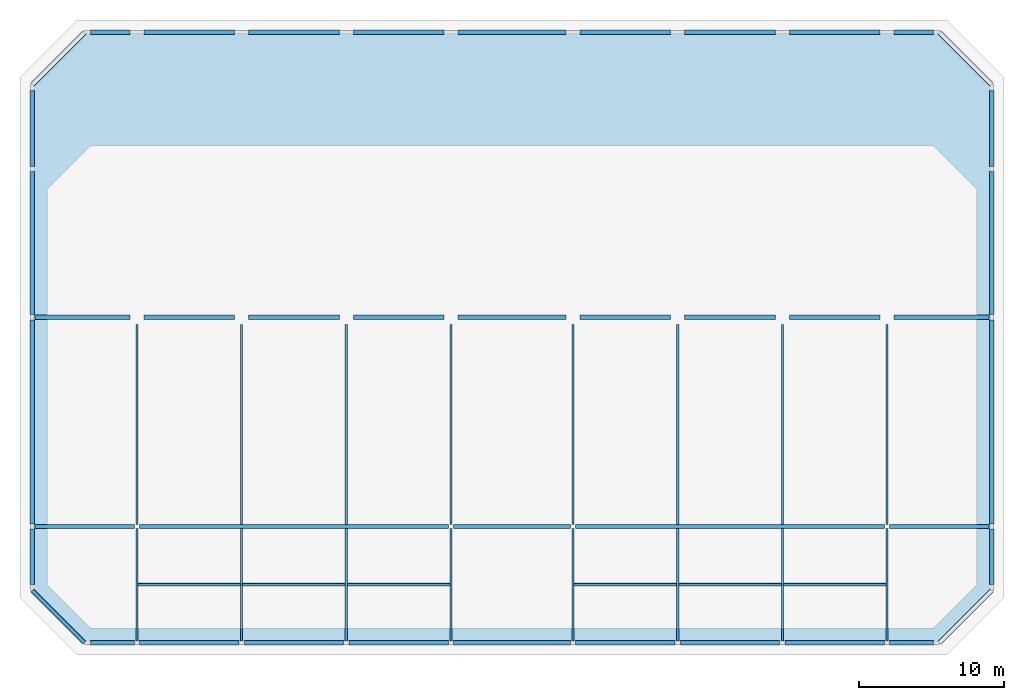
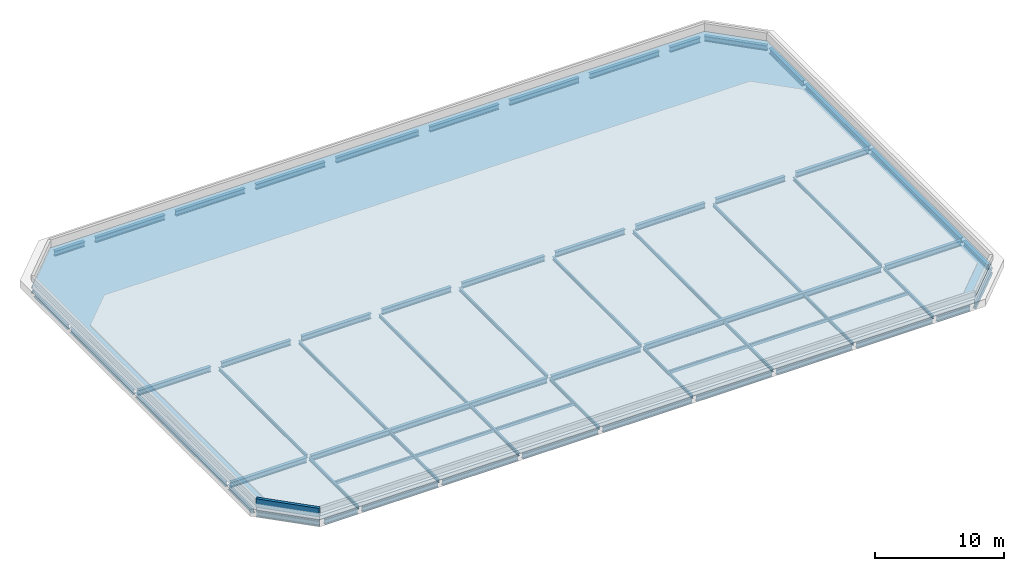
# One storey, part 1 of 3: 44 beams, 22 members, 1 slab, 1 wall.
"""IFC4 building model written with IfcOpenShell, lengths in metres."""

import ifcopenshell
import ifcopenshell.guid

model = None  # the IFC model being written
_history = None  # IfcOwnerHistory: only IFC2X3 demands one
_inside = {}  # id of a spatial element -> (the spatial element, [elements in it])
_under = {}  # id of a project, library or spatial element -> (it, [spatial elements below it])
_declared = {}  # id of a project -> (the project, [libraries it declares])
_typed = {}  # id of a type object -> (the type object, [elements of that type])
_made_of = {}  # id of a material, layer set ... -> (it, [elements and type objects made of it])


def new_model(schema):
    """Start an empty IFC model of exactly this schema.

    Asked for "IFC4X3", IfcOpenShell would pick the latest addendum, in which some entities
    have other attributes; the version numbers below select the first issue.
    IFC2X3 requires an IfcOwnerHistory on every rooted entity: one is made here for all.
    """
    global model, _history
    if schema == "IFC4X3":
        model = ifcopenshell.file(schema_version=(4, 3, 0, 0))
    else:
        model = ifcopenshell.file(schema=schema)
    _inside.clear()
    _under.clear()
    _declared.clear()
    _typed.clear()
    _made_of.clear()
    _history = None
    if model.schema == "IFC2X3":
        org = make("IfcOrganization", Name="unknown")
        user = make(
            "IfcPersonAndOrganization",
            ThePerson=make("IfcPerson", FamilyName="unknown"),
            TheOrganization=org,
        )
        app = make(
            "IfcApplication",
            ApplicationDeveloper=org,
            Version="unknown",
            ApplicationFullName="unknown",
            ApplicationIdentifier="unknown",
        )
        _history = make(
            "IfcOwnerHistory",
            OwningUser=user,
            OwningApplication=app,
            ChangeAction="ADDED",
            CreationDate=0,
        )
    return model


def make(cls, **values):
    """One entity of the class cls with the attributes given. An attribute that is None is left unset."""
    return model.create_entity(
        cls, **{name: value for name, value in values.items() if value is not None}
    )


def rooted(cls, **values):
    """An entity with a GlobalId (a new one), such as an element, a storey or a relation."""
    return make(cls, GlobalId=ifcopenshell.guid.new(), OwnerHistory=_history, **values)


def si_unit(unit_type, name, prefix=None):
    """IfcSIUnit, for example si_unit("LENGTHUNIT", "METRE", prefix="MILLI")."""
    return make("IfcSIUnit", UnitType=unit_type, Prefix=prefix, Name=name)


def assignment(units):
    """IfcUnitAssignment: the units of a project."""
    return None if units is None else make("IfcUnitAssignment", Units=units)


def point(xyz):
    """IfcCartesianPoint."""
    return None if xyz is None else make("IfcCartesianPoint", Coordinates=xyz)


def direction(xyz):
    """IfcDirection."""
    return None if xyz is None else make("IfcDirection", DirectionRatios=xyz)


def frame(location, z_axis=None, x_axis=None):
    """IfcAxis2Placement3D, a coordinate frame: its origin and axes. An axis left out is left unset."""
    return make(
        "IfcAxis2Placement3D",
        Location=point(location),
        Axis=direction(z_axis),
        RefDirection=direction(x_axis),
    )


def frame_2d(location, x_axis=None):
    """IfcAxis2Placement2D, a coordinate frame in the plane: its origin and x axis."""
    return make(
        "IfcAxis2Placement2D", Location=point(location), RefDirection=direction(x_axis)
    )


def origin():
    """The frame at (0, 0, 0) with its axes left unset."""
    return frame((0.0, 0.0, 0.0))


def origin_2d():
    """The frame at (0, 0) in the plane with its x axis left unset."""
    return frame_2d((0.0, 0.0))


def place(relative_to, where):
    """IfcLocalPlacement: puts the frame where relative to a parent placement (None: the world)."""
    return make(
        "IfcLocalPlacement", PlacementRelTo=relative_to, RelativePlacement=where
    )


def context(
    kind, dimensions, precision=None, world=None, true_north=None, identifier=None
):
    """IfcGeometricRepresentationContext, for example the 3D "Model" context."""
    return make(
        "IfcGeometricRepresentationContext",
        ContextIdentifier=identifier,
        ContextType=kind,
        CoordinateSpaceDimension=dimensions,
        Precision=precision,
        WorldCoordinateSystem=world,
        TrueNorth=true_north,
    )


def subcontext(parent, identifier, kind, view, scale=None):
    """IfcGeometricRepresentationSubContext, for example "Body" below "Model"."""
    return make(
        "IfcGeometricRepresentationSubContext",
        ContextIdentifier=identifier,
        ContextType=kind,
        ParentContext=parent,
        TargetScale=scale,
        TargetView=view,
    )


def project(units=None, contexts=None):
    """IfcProject with its units and contexts."""
    return rooted(
        "IfcProject",
        Name="project",
        RepresentationContexts=contexts,
        UnitsInContext=assignment(units),
    )


def spatial(cls, under=None, at=None, **own):
    """A site, building, storey or space (cls), placed at a placement, below another one or the project."""
    s = rooted(cls, ObjectPlacement=at, **own)
    if under is not None:
        _under.setdefault(under.id(), (under, []))[1].append(s)
    return s


def polyline(points):
    """IfcPolyline through the points."""
    return make("IfcPolyline", Points=[point(p) for p in points])


def profile(cls, at=None, kind="AREA", **sizes):
    """A parametric profile (cls). Its sizes go by their IFC names, for example OverallWidth=200.0."""
    return make(cls, ProfileType=kind, Position=at, **sizes)


def rectangle(**sizes):
    """IfcRectangleProfileDef."""
    return profile("IfcRectangleProfileDef", **sizes)


def hollow_rectangle(**sizes):
    """IfcRectangleHollowProfileDef."""
    return profile("IfcRectangleHollowProfileDef", **sizes)


def i_section(**sizes):
    """IfcIShapeProfileDef."""
    return profile("IfcIShapeProfileDef", **sizes)


def outline(outer, holes=None, kind="AREA"):
    """IfcArbitraryClosedProfileDef: a profile drawn as a closed curve; with holes, ...WithVoids."""
    if holes is None:
        return make("IfcArbitraryClosedProfileDef", ProfileType=kind, OuterCurve=outer)
    return make(
        "IfcArbitraryProfileDefWithVoids",
        ProfileType=kind,
        OuterCurve=outer,
        InnerCurves=holes,
    )


def extrude(swept, where, along, depth):
    """IfcExtrudedAreaSolid: the profile swept, set in the frame where, extruded along a direction by depth."""
    return make(
        "IfcExtrudedAreaSolid",
        SweptArea=swept,
        Position=where,
        ExtrudedDirection=direction(along),
        Depth=depth,
    )


def shape(context_of_items, identifier, shape_type, items):
    """IfcShapeRepresentation: the items that make up one representation, for example the "Body"."""
    return make(
        "IfcShapeRepresentation",
        ContextOfItems=context_of_items,
        RepresentationIdentifier=identifier,
        RepresentationType=shape_type,
        Items=items,
    )


def material(Name=None, Category=None):
    """IfcMaterial."""
    return make("IfcMaterial", Name=Name, Category=Category)


def layer(
    of_material, thickness, ventilated=None, Name=None, Category=None, Priority=None
):
    """IfcMaterialLayer: one layer of a wall or slab, of a material (None: an air gap)."""
    return make(
        "IfcMaterialLayer",
        Material=of_material,
        LayerThickness=thickness,
        IsVentilated=ventilated,
        Name=Name,
        Category=Category,
        Priority=Priority,
    )


def layer_set(layers, Name=None):
    """IfcMaterialLayerSet."""
    return make("IfcMaterialLayerSet", MaterialLayers=layers, LayerSetName=Name)


def material_profile(
    of_material, cross_section, Name=None, Category=None, Priority=None
):
    """IfcMaterialProfile: a cross section and its material."""
    return make(
        "IfcMaterialProfile",
        Name=Name,
        Material=of_material,
        Profile=cross_section,
        Priority=Priority,
        Category=Category,
    )


def profile_set(profiles, Name=None, composite=None):
    """IfcMaterialProfileSet."""
    return make(
        "IfcMaterialProfileSet",
        Name=Name,
        MaterialProfiles=profiles,
        CompositeProfile=composite,
    )


def made_of(thing, what):
    """Note that an element or type object is made of a material, layer set ...; save() writes the relation."""
    if what is not None:
        _made_of.setdefault(what.id(), (what, []))[1].append(thing)
    return thing


def type_object(cls, material=None, **own):
    """A type object (cls), such as IfcWallType, which elements share."""
    return made_of(rooted(cls, **own), material)


def element(
    cls,
    number,
    at=None,
    inside=None,
    cuts=None,
    type_object=None,
    material=None,
    context=None,
    identifier="Body",
    shape_type=None,
    held_by="IfcProductDefinitionShape",
    body=None,
    shapes=None,
    **own,
):
    """One element of the class cls, such as IfcWall. Its Tag is "e" and its number.

    at: its placement. inside: the storey or other place that contains it. cuts: it is an
    opening in that element (IfcRelVoidsElement). A single representation is given by context,
    identifier, shape_type and body (its items); several are given by shapes. held_by: the class
    of the entity that holds the representations. save() writes the other relations.
    """
    e = rooted(cls, Tag="e%d" % number, ObjectPlacement=at, **own)
    if body is not None:
        shapes = [shape(context, identifier, shape_type, body)]
    if shapes is not None:
        e.Representation = make(held_by, Representations=shapes)
    if inside is not None:
        _inside.setdefault(inside.id(), (inside, []))[1].append(e)
    if cuts is not None:
        rooted(
            "IfcRelVoidsElement", RelatingBuildingElement=cuts, RelatedOpeningElement=e
        )
    if type_object is not None:
        _typed.setdefault(type_object.id(), (type_object, []))[1].append(e)
    return made_of(e, material)


def aggregate(whole, parts):
    """IfcRelAggregates: a whole, such as a stair, and the parts it consists of."""
    return rooted("IfcRelAggregates", RelatingObject=whole, RelatedObjects=parts)


def save(model, path):
    """Write the relations noted so far, then the file.

    IfcRelAggregates (storeys below a building ...), IfcRelContainedInSpatialStructure (elements
    in a storey), IfcRelDefinesByType, IfcRelAssociatesMaterial and IfcRelDeclares: one each for
    every whole, place, type object, material and project.
    """
    for whole, parts in _under.values():
        aggregate(whole, parts)
    for where, things in _inside.values():
        rooted(
            "IfcRelContainedInSpatialStructure",
            RelatedElements=things,
            RelatingStructure=where,
        )
    for kind, things in _typed.values():
        rooted("IfcRelDefinesByType", RelatedObjects=things, RelatingType=kind)
    for what, things in _made_of.values():
        rooted("IfcRelAssociatesMaterial", RelatedObjects=things, RelatingMaterial=what)
    for by, libraries in _declared.values():
        rooted("IfcRelDeclares", RelatingContext=by, RelatedDefinitions=libraries)
    model.write(path)


model = new_model("IFC4")

# Units and contexts
model_context = context("Model", 3, precision=1e-05, world=origin(), true_north=direction((0.0, 1.0)))
body_context = subcontext(model_context, "Body", "Model", "MODEL_VIEW")
ifc_project = project(units=[si_unit("LENGTHUNIT", "METRE"), si_unit("AREAUNIT", "SQUARE_METRE"), si_unit("VOLUMEUNIT", "CUBIC_METRE"), si_unit("PLANEANGLEUNIT", "RADIAN"), si_unit("MASSUNIT", "GRAM", prefix="KILO")], contexts=[model_context])

# Site, building, storey
site_placement = place(None, origin())
site = spatial("IfcSite", under=ifc_project, at=site_placement, CompositionType="ELEMENT")
building_placement = place(site_placement, origin())
building = spatial("IfcBuilding", under=site, at=building_placement, Name="Kaelvorn Grand Hotel", CompositionType="ELEMENT")
storey_placement = place(building_placement, frame((0.0, 0.0, 318.60009765625)))
storey = spatial("IfcBuildingStorey", under=building, at=storey_placement, Name="L76", CompositionType="ELEMENT", Elevation=318.60009765625)

# Beams
ifc_material_1 = material(Name="Steel S355", Category="steel")
ifc_material_profile_1 = material_profile(ifc_material_1, i_section(OverallWidth=0.300048828125, OverallDepth=0.5, WebThickness=0.014404296875, FlangeThickness=0.028076171875, FilletRadius=0.027099609375, at=origin_2d()), Name="HEB 500")
ifc_profile_set_1 = profile_set([ifc_material_profile_1], Name="Steel S355")
beam_type = type_object("IfcBeamType", Name="BM-G-HEB500-S355", PredefinedType="BEAM", material=ifc_profile_set_1)
beam_1_placement = place(storey_placement, frame((13.0048828125, 7.0, -0.650146484375), z_axis=(1.0, 0.0, 0.0), x_axis=(0.0, 1.0, 0.0)))
element("IfcBeam", 1, at=beam_1_placement, inside=storey, type_object=beam_type, Name="L76 Canopy Spine Steel Girder G7-S 01", PredefinedType="BEAM", context=body_context, shape_type="SweptSolid", body=[
    extrude(i_section(OverallWidth=0.300048828125, OverallDepth=0.5, WebThickness=0.014404296875, FlangeThickness=0.028076171875, FilletRadius=0.027099609375, at=origin_2d()), origin(), (0.0, 0.0, 1.0), 3.010009765625),
])
for number, where, z_axis, x_axis, name in (
    (2, (16.385009765625, 7.0, -0.650146484375), (1.0, 0.0, 0.0), (0.0, 1.0, 0.0), "L76 Canopy Spine Steel Girder G7-S 02"),
    (3, (23.5849609375, 7.0, -0.650146484375), (1.0, 0.0, 0.0), (0.0, 1.0, 0.0), "L76 Canopy Spine Steel Girder G7-S 03"),
    (4, (30.784912109375, 7.0, -0.650146484375), (1.0, 0.0, 0.0), (0.0, 1.0, 0.0), "L76 Canopy Spine Steel Girder G7-S 04"),
):
    element("IfcBeam", number, at=place(storey_placement, frame(where, z_axis=z_axis, x_axis=x_axis)), inside=storey, type_object=beam_type, Name=name, PredefinedType="BEAM", context=body_context, shape_type="SweptSolid", body=[
        extrude(i_section(OverallWidth=0.300048828125, OverallDepth=0.5, WebThickness=0.014404296875, FlangeThickness=0.028076171875, FilletRadius=0.027099609375, at=origin_2d()), origin(), (0.0, 0.0, 1.0), 6.830078125),
    ])
beam_2_placement = place(storey_placement, frame((37.985107421875, 7.0, -0.650146484375), z_axis=(1.0, 0.0, 0.0), x_axis=(0.0, 1.0, 0.0)))
element("IfcBeam", 5, at=beam_2_placement, inside=storey, type_object=beam_type, Name="L76 Canopy Spine Steel Girder G7-S 05", PredefinedType="BEAM", context=body_context, shape_type="SweptSolid", body=[
    extrude(i_section(OverallWidth=0.300048828125, OverallDepth=0.5, WebThickness=0.014404296875, FlangeThickness=0.028076171875, FilletRadius=0.027099609375, at=origin_2d()), origin(), (0.0, 0.0, 1.0), 8.02978515625),
])
for number, where, z_axis, x_axis, name in (
    (6, (46.385009765625, 7.0, -0.650146484375), (1.0, 0.0, 0.0), (0.0, 1.0, 0.0), "L76 Canopy Spine Steel Girder G7-S 06"),
    (7, (53.5849609375, 7.0, -0.650146484375), (1.0, 0.0, 0.0), (0.0, 1.0, 0.0), "L76 Canopy Spine Steel Girder G7-S 07"),
    (8, (60.784912109375, 7.0, -0.650146484375), (1.0, 0.0, 0.0), (0.0, 1.0, 0.0), "L76 Canopy Spine Steel Girder G7-S 08"),
):
    element("IfcBeam", number, at=place(storey_placement, frame(where, z_axis=z_axis, x_axis=x_axis)), inside=storey, type_object=beam_type, Name=name, PredefinedType="BEAM", context=body_context, shape_type="SweptSolid", body=[
        extrude(i_section(OverallWidth=0.300048828125, OverallDepth=0.5, WebThickness=0.014404296875, FlangeThickness=0.028076171875, FilletRadius=0.027099609375, at=origin_2d()), origin(), (0.0, 0.0, 1.0), 6.830078125),
    ])
beam_3_placement = place(storey_placement, frame((67.985107421875, 7.0, -0.650146484375), z_axis=(1.0, 0.0, 0.0), x_axis=(0.0, 1.0, 0.0)))
element("IfcBeam", 9, at=beam_3_placement, inside=storey, type_object=beam_type, Name="L76 Canopy Spine Steel Girder G7-S 09", PredefinedType="BEAM", context=body_context, shape_type="SweptSolid", body=[
    extrude(i_section(OverallWidth=0.300048828125, OverallDepth=0.5, WebThickness=0.014404296875, FlangeThickness=0.028076171875, FilletRadius=0.027099609375, at=origin_2d()), origin(), (0.0, 0.0, 1.0), 3.010009765625),
])
beam_4_placement = place(storey_placement, frame((9.18505859375, 15.0, -0.650146484375), z_axis=(1.0, 0.0, 0.0), x_axis=(0.0, 1.0, 0.0)))
element("IfcBeam", 10, at=beam_4_placement, inside=storey, type_object=beam_type, Name="L76 Canopy Spine Steel Girder G7-M 01", PredefinedType="BEAM", context=body_context, shape_type="SweptSolid", body=[
    extrude(i_section(OverallWidth=0.300048828125, OverallDepth=0.5, WebThickness=0.014404296875, FlangeThickness=0.028076171875, FilletRadius=0.027099609375, at=origin_2d()), origin(), (0.0, 0.0, 1.0), 6.829833984375),
])
beam_5_placement = place(storey_placement, frame((16.385009765625, 15.0, -0.650146484375), z_axis=(1.0, 0.0, 0.0), x_axis=(0.0, 1.0, 0.0)))
element("IfcBeam", 11, at=beam_5_placement, inside=storey, type_object=beam_type, Name="L76 Canopy Spine Steel Girder G7-M 02", PredefinedType="BEAM", context=body_context, shape_type="SweptSolid", body=[
    extrude(i_section(OverallWidth=0.300048828125, OverallDepth=0.5, WebThickness=0.014404296875, FlangeThickness=0.028076171875, FilletRadius=0.027099609375, at=origin_2d()), origin(), (0.0, 0.0, 1.0), 21.22998046875),
])
beam_6_placement = place(storey_placement, frame((37.985107421875, 15.0, -0.650146484375), z_axis=(1.0, 0.0, 0.0), x_axis=(0.0, 1.0, 0.0)))
element("IfcBeam", 12, at=beam_6_placement, inside=storey, type_object=beam_type, Name="L76 Canopy Spine Steel Girder G7-M 03", PredefinedType="BEAM", context=body_context, shape_type="SweptSolid", body=[
    extrude(i_section(OverallWidth=0.300048828125, OverallDepth=0.5, WebThickness=0.014404296875, FlangeThickness=0.028076171875, FilletRadius=0.027099609375, at=origin_2d()), origin(), (0.0, 0.0, 1.0), 8.02978515625),
])
beam_7_placement = place(storey_placement, frame((46.385009765625, 15.0, -0.650146484375), z_axis=(1.0, 0.0, 0.0), x_axis=(0.0, 1.0, 0.0)))
element("IfcBeam", 13, at=beam_7_placement, inside=storey, type_object=beam_type, Name="L76 Canopy Spine Steel Girder G7-M 04", PredefinedType="BEAM", context=body_context, shape_type="SweptSolid", body=[
    extrude(i_section(OverallWidth=0.300048828125, OverallDepth=0.5, WebThickness=0.014404296875, FlangeThickness=0.028076171875, FilletRadius=0.027099609375, at=origin_2d()), origin(), (0.0, 0.0, 1.0), 21.22998046875),
])
beam_8_placement = place(storey_placement, frame((67.985107421875, 15.0, -0.650146484375), z_axis=(1.0, 0.0, 0.0), x_axis=(0.0, 1.0, 0.0)))
element("IfcBeam", 14, at=beam_8_placement, inside=storey, type_object=beam_type, Name="L76 Canopy Spine Steel Girder G7-M 05", PredefinedType="BEAM", context=body_context, shape_type="SweptSolid", body=[
    extrude(i_section(OverallWidth=0.300048828125, OverallDepth=0.5, WebThickness=0.014404296875, FlangeThickness=0.028076171875, FilletRadius=0.027099609375, at=origin_2d()), origin(), (0.0, 0.0, 1.0), 6.829833984375),
])
beam_9_placement = place(storey_placement, frame((9.18505859375, 29.39990234375, -0.650146484375), z_axis=(1.0, 0.0, 0.0), x_axis=(0.0, 1.0, 0.0)))
element("IfcBeam", 15, at=beam_9_placement, inside=storey, type_object=beam_type, Name="L76 Canopy Spine Steel Girder G7-C 01", PredefinedType="BEAM", context=body_context, shape_type="SweptSolid", body=[
    extrude(i_section(OverallWidth=0.300048828125, OverallDepth=0.5, WebThickness=0.014404296875, FlangeThickness=0.028076171875, FilletRadius=0.027099609375, at=origin_2d()), origin(), (0.0, 0.0, 1.0), 6.530029296875),
])
for number, where, z_axis, x_axis, name in (
    (16, (16.68505859375, 29.39990234375, -0.650146484375), (1.0, 0.0, 0.0), (0.0, 1.0, 0.0), "L76 Canopy Spine Steel Girder G7-C 02"),
    (17, (23.885009765625, 29.39990234375, -0.650146484375), (1.0, 0.0, 0.0), (0.0, 1.0, 0.0), "L76 Canopy Spine Steel Girder G7-C 03"),
    (18, (31.0849609375, 29.39990234375, -0.650146484375), (1.0, 0.0, 0.0), (0.0, 1.0, 0.0), "L76 Canopy Spine Steel Girder G7-C 04"),
):
    element("IfcBeam", number, at=place(storey_placement, frame(where, z_axis=z_axis, x_axis=x_axis)), inside=storey, type_object=beam_type, Name=name, PredefinedType="BEAM", context=body_context, shape_type="SweptSolid", body=[
        extrude(i_section(OverallWidth=0.300048828125, OverallDepth=0.5, WebThickness=0.014404296875, FlangeThickness=0.028076171875, FilletRadius=0.027099609375, at=origin_2d()), origin(), (0.0, 0.0, 1.0), 6.22998046875),
    ])
beam_10_placement = place(storey_placement, frame((38.284912109375, 29.39990234375, -0.650146484375), z_axis=(1.0, 0.0, 0.0), x_axis=(0.0, 1.0, 0.0)))
element("IfcBeam", 19, at=beam_10_placement, inside=storey, type_object=beam_type, Name="L76 Canopy Spine Steel Girder G7-C 05", PredefinedType="BEAM", context=body_context, shape_type="SweptSolid", body=[
    extrude(i_section(OverallWidth=0.300048828125, OverallDepth=0.5, WebThickness=0.014404296875, FlangeThickness=0.028076171875, FilletRadius=0.027099609375, at=origin_2d()), origin(), (0.0, 0.0, 1.0), 7.43017578125),
])
for number, where, z_axis, x_axis, name in (
    (20, (46.68505859375, 29.39990234375, -0.650146484375), (1.0, 0.0, 0.0), (0.0, 1.0, 0.0), "L76 Canopy Spine Steel Girder G7-C 06"),
    (21, (53.885009765625, 29.39990234375, -0.650146484375), (1.0, 0.0, 0.0), (0.0, 1.0, 0.0), "L76 Canopy Spine Steel Girder G7-C 07"),
    (22, (61.0849609375, 29.39990234375, -0.650146484375), (1.0, 0.0, 0.0), (0.0, 1.0, 0.0), "L76 Canopy Spine Steel Girder G7-C 08"),
):
    element("IfcBeam", number, at=place(storey_placement, frame(where, z_axis=z_axis, x_axis=x_axis)), inside=storey, type_object=beam_type, Name=name, PredefinedType="BEAM", context=body_context, shape_type="SweptSolid", body=[
        extrude(i_section(OverallWidth=0.300048828125, OverallDepth=0.5, WebThickness=0.014404296875, FlangeThickness=0.028076171875, FilletRadius=0.027099609375, at=origin_2d()), origin(), (0.0, 0.0, 1.0), 6.22998046875),
    ])
beam_11_placement = place(storey_placement, frame((68.284912109375, 29.39990234375, -0.650146484375), z_axis=(1.0, 0.0, 0.0), x_axis=(0.0, 1.0, 0.0)))
element("IfcBeam", 23, at=beam_11_placement, inside=storey, type_object=beam_type, Name="L76 Canopy Spine Steel Girder G7-C 09", PredefinedType="BEAM", context=body_context, shape_type="SweptSolid", body=[
    extrude(i_section(OverallWidth=0.300048828125, OverallDepth=0.5, WebThickness=0.014404296875, FlangeThickness=0.028076171875, FilletRadius=0.027099609375, at=origin_2d()), origin(), (0.0, 0.0, 1.0), 6.530029296875),
])
beam_12_placement = place(storey_placement, frame((13.0048828125, 49.0, -0.650146484375), z_axis=(1.0, 0.0, 0.0), x_axis=(0.0, 1.0, 0.0)))
element("IfcBeam", 24, at=beam_12_placement, inside=storey, type_object=beam_type, Name="L76 Canopy Spine Steel Girder G7-N 01", PredefinedType="BEAM", context=body_context, shape_type="SweptSolid", body=[
    extrude(i_section(OverallWidth=0.300048828125, OverallDepth=0.5, WebThickness=0.014404296875, FlangeThickness=0.028076171875, FilletRadius=0.027099609375, at=origin_2d()), origin(), (0.0, 0.0, 1.0), 2.710205078125),
])
for number, where, z_axis, x_axis, name in (
    (25, (16.68505859375, 49.0, -0.650146484375), (1.0, 0.0, 0.0), (0.0, 1.0, 0.0), "L76 Canopy Spine Steel Girder G7-N 02"),
    (26, (23.885009765625, 49.0, -0.650146484375), (1.0, 0.0, 0.0), (0.0, 1.0, 0.0), "L76 Canopy Spine Steel Girder G7-N 03"),
    (27, (31.0849609375, 49.0, -0.650146484375), (1.0, 0.0, 0.0), (0.0, 1.0, 0.0), "L76 Canopy Spine Steel Girder G7-N 04"),
):
    element("IfcBeam", number, at=place(storey_placement, frame(where, z_axis=z_axis, x_axis=x_axis)), inside=storey, type_object=beam_type, Name=name, PredefinedType="BEAM", context=body_context, shape_type="SweptSolid", body=[
        extrude(i_section(OverallWidth=0.300048828125, OverallDepth=0.5, WebThickness=0.014404296875, FlangeThickness=0.028076171875, FilletRadius=0.027099609375, at=origin_2d()), origin(), (0.0, 0.0, 1.0), 6.22998046875),
    ])
beam_13_placement = place(storey_placement, frame((38.284912109375, 49.0, -0.650146484375), z_axis=(1.0, 0.0, 0.0), x_axis=(0.0, 1.0, 0.0)))
element("IfcBeam", 28, at=beam_13_placement, inside=storey, type_object=beam_type, Name="L76 Canopy Spine Steel Girder G7-N 05", PredefinedType="BEAM", context=body_context, shape_type="SweptSolid", body=[
    extrude(i_section(OverallWidth=0.300048828125, OverallDepth=0.5, WebThickness=0.014404296875, FlangeThickness=0.028076171875, FilletRadius=0.027099609375, at=origin_2d()), origin(), (0.0, 0.0, 1.0), 7.43017578125),
])
for number, where, z_axis, x_axis, name in (
    (29, (46.68505859375, 49.0, -0.650146484375), (1.0, 0.0, 0.0), (0.0, 1.0, 0.0), "L76 Canopy Spine Steel Girder G7-N 06"),
    (30, (53.885009765625, 49.0, -0.650146484375), (1.0, 0.0, 0.0), (0.0, 1.0, 0.0), "L76 Canopy Spine Steel Girder G7-N 07"),
    (31, (61.0849609375, 49.0, -0.650146484375), (1.0, 0.0, 0.0), (0.0, 1.0, 0.0), "L76 Canopy Spine Steel Girder G7-N 08"),
):
    element("IfcBeam", number, at=place(storey_placement, frame(where, z_axis=z_axis, x_axis=x_axis)), inside=storey, type_object=beam_type, Name=name, PredefinedType="BEAM", context=body_context, shape_type="SweptSolid", body=[
        extrude(i_section(OverallWidth=0.300048828125, OverallDepth=0.5, WebThickness=0.014404296875, FlangeThickness=0.028076171875, FilletRadius=0.027099609375, at=origin_2d()), origin(), (0.0, 0.0, 1.0), 6.22998046875),
    ])
beam_14_placement = place(storey_placement, frame((68.284912109375, 49.0, -0.650146484375), z_axis=(1.0, 0.0, 0.0), x_axis=(0.0, 1.0, 0.0)))
element("IfcBeam", 32, at=beam_14_placement, inside=storey, type_object=beam_type, Name="L76 Canopy Spine Steel Girder G7-N 09", PredefinedType="BEAM", context=body_context, shape_type="SweptSolid", body=[
    extrude(i_section(OverallWidth=0.300048828125, OverallDepth=0.5, WebThickness=0.014404296875, FlangeThickness=0.028076171875, FilletRadius=0.027099609375, at=origin_2d()), origin(), (0.0, 0.0, 1.0), 2.710205078125),
])
beam_15_placement = place(storey_placement, frame((9.0, 11.0048828125, -0.650146484375), z_axis=(0.0, 1.0, 0.0), x_axis=(-1.0, 0.0, 0.0)))
element("IfcBeam", 33, at=beam_15_placement, inside=storey, type_object=beam_type, Name="L76 Canopy End Girder W 01", PredefinedType="BEAM", context=body_context, shape_type="SweptSolid", body=[
    extrude(i_section(OverallWidth=0.300048828125, OverallDepth=0.5, WebThickness=0.014404296875, FlangeThickness=0.028076171875, FilletRadius=0.027099609375, at=origin_2d()), origin(), (0.0, 0.0, 1.0), 3.81005859375),
])
beam_16_placement = place(storey_placement, frame((9.0, 15.18505859375, -0.650146484375), z_axis=(0.0, 1.0, 0.0), x_axis=(-1.0, 0.0, 0.0)))
element("IfcBeam", 34, at=beam_16_placement, inside=storey, type_object=beam_type, Name="L76 Canopy End Girder W 02", PredefinedType="BEAM", context=body_context, shape_type="SweptSolid", body=[
    extrude(i_section(OverallWidth=0.300048828125, OverallDepth=0.5, WebThickness=0.014404296875, FlangeThickness=0.028076171875, FilletRadius=0.027099609375, at=origin_2d()), origin(), (0.0, 0.0, 1.0), 14.030029296875),
])
beam_17_placement = place(storey_placement, frame((9.0, 29.5849609375, -0.650146484375), z_axis=(0.0, 1.0, 0.0), x_axis=(-1.0, 0.0, 0.0)))
element("IfcBeam", 35, at=beam_17_placement, inside=storey, type_object=beam_type, Name="L76 Canopy End Girder W 03", PredefinedType="BEAM", context=body_context, shape_type="SweptSolid", body=[
    extrude(i_section(OverallWidth=0.300048828125, OverallDepth=0.5, WebThickness=0.014404296875, FlangeThickness=0.028076171875, FilletRadius=0.027099609375, at=origin_2d()), origin(), (0.0, 0.0, 1.0), 9.830078125),
])
beam_18_placement = place(storey_placement, frame((9.0, 39.784912109375, -0.650146484375), z_axis=(0.0, 1.0, 0.0), x_axis=(-1.0, 0.0, 0.0)))
element("IfcBeam", 36, at=beam_18_placement, inside=storey, type_object=beam_type, Name="L76 Canopy End Girder W 04", PredefinedType="BEAM", context=body_context, shape_type="SweptSolid", body=[
    extrude(i_section(OverallWidth=0.300048828125, OverallDepth=0.5, WebThickness=0.014404296875, FlangeThickness=0.028076171875, FilletRadius=0.027099609375, at=origin_2d()), origin(), (0.0, 0.0, 1.0), 5.210205078125),
])
beam_19_placement = place(storey_placement, frame((75.0, 11.0048828125, -0.650146484375), z_axis=(0.0, 1.0, 0.0), x_axis=(-1.0, 0.0, 0.0)))
element("IfcBeam", 37, at=beam_19_placement, inside=storey, type_object=beam_type, Name="L76 Canopy End Girder E 01", PredefinedType="BEAM", context=body_context, shape_type="SweptSolid", body=[
    extrude(i_section(OverallWidth=0.300048828125, OverallDepth=0.5, WebThickness=0.014404296875, FlangeThickness=0.028076171875, FilletRadius=0.027099609375, at=origin_2d()), origin(), (0.0, 0.0, 1.0), 3.81005859375),
])
beam_20_placement = place(storey_placement, frame((75.0, 15.18505859375, -0.650146484375), z_axis=(0.0, 1.0, 0.0), x_axis=(-1.0, 0.0, 0.0)))
element("IfcBeam", 38, at=beam_20_placement, inside=storey, type_object=beam_type, Name="L76 Canopy End Girder E 02", PredefinedType="BEAM", context=body_context, shape_type="SweptSolid", body=[
    extrude(i_section(OverallWidth=0.300048828125, OverallDepth=0.5, WebThickness=0.014404296875, FlangeThickness=0.028076171875, FilletRadius=0.027099609375, at=origin_2d()), origin(), (0.0, 0.0, 1.0), 14.030029296875),
])
beam_21_placement = place(storey_placement, frame((75.0, 29.5849609375, -0.650146484375), z_axis=(0.0, 1.0, 0.0), x_axis=(-1.0, 0.0, 0.0)))
element("IfcBeam", 39, at=beam_21_placement, inside=storey, type_object=beam_type, Name="L76 Canopy End Girder E 03", PredefinedType="BEAM", context=body_context, shape_type="SweptSolid", body=[
    extrude(i_section(OverallWidth=0.300048828125, OverallDepth=0.5, WebThickness=0.014404296875, FlangeThickness=0.028076171875, FilletRadius=0.027099609375, at=origin_2d()), origin(), (0.0, 0.0, 1.0), 9.830078125),
])
beam_22_placement = place(storey_placement, frame((75.0, 39.784912109375, -0.650146484375), z_axis=(0.0, 1.0, 0.0), x_axis=(-1.0, 0.0, 0.0)))
element("IfcBeam", 40, at=beam_22_placement, inside=storey, type_object=beam_type, Name="L76 Canopy End Girder E 04", PredefinedType="BEAM", context=body_context, shape_type="SweptSolid", body=[
    extrude(i_section(OverallWidth=0.300048828125, OverallDepth=0.5, WebThickness=0.014404296875, FlangeThickness=0.028076171875, FilletRadius=0.027099609375, at=origin_2d()), origin(), (0.0, 0.0, 1.0), 5.210205078125),
])
for number, where, z_axis, x_axis, name in (
    (41, (71.39990234375, 7.0, -0.650146484375), (0.707106781187, 0.707106781187, 0.0), (-0.707106781187, 0.707106781187, 0.0), "L76 Canopy Chamfer Girder 1"),
    (42, (75.0, 45.39990234375, -0.650146484375), (-0.707106781187, 0.707106781187, 0.0), (-0.707106781187, -0.707106781187, 0.0), "L76 Canopy Chamfer Girder 2"),
    (43, (12.60009765625, 49.0, -0.650146484375), (-0.707106781187, -0.707106781187, 0.0), (0.707106781187, -0.707106781187, 0.0), "L76 Canopy Chamfer Girder 3"),
    (44, (9.0, 10.60009765625, -0.650146484375), (0.707106781187, -0.707106781187, 0.0), (0.707106781187, 0.707106781187, 0.0), "L76 Canopy Chamfer Girder 4"),
):
    element("IfcBeam", number, at=place(storey_placement, frame(where, z_axis=z_axis, x_axis=x_axis)), inside=storey, type_object=beam_type, Name=name, PredefinedType="BEAM", context=body_context, shape_type="SweptSolid", body=[
        extrude(i_section(OverallWidth=0.300048828125, OverallDepth=0.5, WebThickness=0.014404296875, FlangeThickness=0.028076171875, FilletRadius=0.027099609375, at=origin_2d()), origin(), (0.0, 0.0, 1.0), 5.09130859375),
    ])

# Members
ifc_material_profile_2 = material_profile(ifc_material_1, i_section(OverallWidth=0.14990234375, OverallDepth=0.300048828125, WebThickness=0.007080078125, FlangeThickness=0.0107421875, FilletRadius=0.014892578125, at=origin_2d()), Name="IPE 300")
ifc_profile_set_2 = profile_set([ifc_material_profile_2], Name="Steel S355")
member_type_1 = type_object("IfcMemberType", Name="MB-CAN-PURLIN-IPE300", PredefinedType="PURLIN", material=ifc_profile_set_2)
member_1_placement = place(storey_placement, frame((16.199951171875, 7.139892578125, -0.550048828125), z_axis=(0.0, 1.0, 0.0), x_axis=(-1.0, 0.0, 0.0)))
element("IfcMember", 45, at=member_1_placement, inside=storey, type_object=member_type_1, Name="L76 Canopy Steel Purlin PR1-01.1", PredefinedType="PURLIN", context=body_context, shape_type="SweptSolid", body=[
    extrude(i_section(OverallWidth=0.14990234375, OverallDepth=0.300048828125, WebThickness=0.007080078125, FlangeThickness=0.0107421875, FilletRadius=0.014892578125, at=origin_2d()), origin(), (0.0, 0.0, 1.0), 7.72021484375),
])
member_2_placement = place(storey_placement, frame((16.199951171875, 15.139892578125, -0.550048828125), z_axis=(0.0, 1.0, 0.0), x_axis=(-1.0, 0.0, 0.0)))
element("IfcMember", 46, at=member_2_placement, inside=storey, type_object=member_type_1, Name="L76 Canopy Steel Purlin PR1-01.2", PredefinedType="PURLIN", context=body_context, shape_type="SweptSolid", body=[
    extrude(i_section(OverallWidth=0.14990234375, OverallDepth=0.300048828125, WebThickness=0.007080078125, FlangeThickness=0.0107421875, FilletRadius=0.014892578125, at=origin_2d()), origin(), (0.0, 0.0, 1.0), 13.775146484375),
])
member_3_placement = place(storey_placement, frame((23.39990234375, 7.139892578125, -0.550048828125), z_axis=(0.0, 1.0, 0.0), x_axis=(-1.0, 0.0, 0.0)))
element("IfcMember", 47, at=member_3_placement, inside=storey, type_object=member_type_1, Name="L76 Canopy Steel Purlin PR1-02.1", PredefinedType="PURLIN", context=body_context, shape_type="SweptSolid", body=[
    extrude(i_section(OverallWidth=0.14990234375, OverallDepth=0.300048828125, WebThickness=0.007080078125, FlangeThickness=0.0107421875, FilletRadius=0.014892578125, at=origin_2d()), origin(), (0.0, 0.0, 1.0), 7.72021484375),
])
member_4_placement = place(storey_placement, frame((23.39990234375, 15.139892578125, -0.550048828125), z_axis=(0.0, 1.0, 0.0), x_axis=(-1.0, 0.0, 0.0)))
element("IfcMember", 48, at=member_4_placement, inside=storey, type_object=member_type_1, Name="L76 Canopy Steel Purlin PR1-02.2", PredefinedType="PURLIN", context=body_context, shape_type="SweptSolid", body=[
    extrude(i_section(OverallWidth=0.14990234375, OverallDepth=0.300048828125, WebThickness=0.007080078125, FlangeThickness=0.0107421875, FilletRadius=0.014892578125, at=origin_2d()), origin(), (0.0, 0.0, 1.0), 13.775146484375),
])
member_5_placement = place(storey_placement, frame((30.60009765625, 7.139892578125, -0.550048828125), z_axis=(0.0, 1.0, 0.0), x_axis=(-1.0, 0.0, 0.0)))
element("IfcMember", 49, at=member_5_placement, inside=storey, type_object=member_type_1, Name="L76 Canopy Steel Purlin PR1-03.1", PredefinedType="PURLIN", context=body_context, shape_type="SweptSolid", body=[
    extrude(i_section(OverallWidth=0.14990234375, OverallDepth=0.300048828125, WebThickness=0.007080078125, FlangeThickness=0.0107421875, FilletRadius=0.014892578125, at=origin_2d()), origin(), (0.0, 0.0, 1.0), 7.72021484375),
])
member_6_placement = place(storey_placement, frame((30.60009765625, 15.139892578125, -0.550048828125), z_axis=(0.0, 1.0, 0.0), x_axis=(-1.0, 0.0, 0.0)))
element("IfcMember", 50, at=member_6_placement, inside=storey, type_object=member_type_1, Name="L76 Canopy Steel Purlin PR1-03.2", PredefinedType="PURLIN", context=body_context, shape_type="SweptSolid", body=[
    extrude(i_section(OverallWidth=0.14990234375, OverallDepth=0.300048828125, WebThickness=0.007080078125, FlangeThickness=0.0107421875, FilletRadius=0.014892578125, at=origin_2d()), origin(), (0.0, 0.0, 1.0), 13.775146484375),
])
member_7_placement = place(storey_placement, frame((37.800048828125, 7.139892578125, -0.550048828125), z_axis=(0.0, 1.0, 0.0), x_axis=(-1.0, 0.0, 0.0)))
element("IfcMember", 51, at=member_7_placement, inside=storey, type_object=member_type_1, Name="L76 Canopy Steel Purlin PR1-04.1", PredefinedType="PURLIN", context=body_context, shape_type="SweptSolid", body=[
    extrude(i_section(OverallWidth=0.14990234375, OverallDepth=0.300048828125, WebThickness=0.007080078125, FlangeThickness=0.0107421875, FilletRadius=0.014892578125, at=origin_2d()), origin(), (0.0, 0.0, 1.0), 7.72021484375),
])
member_8_placement = place(storey_placement, frame((37.800048828125, 15.139892578125, -0.550048828125), z_axis=(0.0, 1.0, 0.0), x_axis=(-1.0, 0.0, 0.0)))
element("IfcMember", 52, at=member_8_placement, inside=storey, type_object=member_type_1, Name="L76 Canopy Steel Purlin PR1-04.2", PredefinedType="PURLIN", context=body_context, shape_type="SweptSolid", body=[
    extrude(i_section(OverallWidth=0.14990234375, OverallDepth=0.300048828125, WebThickness=0.007080078125, FlangeThickness=0.0107421875, FilletRadius=0.014892578125, at=origin_2d()), origin(), (0.0, 0.0, 1.0), 13.775146484375),
])
member_9_placement = place(storey_placement, frame((46.199951171875, 7.139892578125, -0.550048828125), z_axis=(0.0, 1.0, 0.0), x_axis=(-1.0, 0.0, 0.0)))
element("IfcMember", 53, at=member_9_placement, inside=storey, type_object=member_type_1, Name="L76 Canopy Steel Purlin PR1-05.1", PredefinedType="PURLIN", context=body_context, shape_type="SweptSolid", body=[
    extrude(i_section(OverallWidth=0.14990234375, OverallDepth=0.300048828125, WebThickness=0.007080078125, FlangeThickness=0.0107421875, FilletRadius=0.014892578125, at=origin_2d()), origin(), (0.0, 0.0, 1.0), 7.72021484375),
])
member_10_placement = place(storey_placement, frame((46.199951171875, 15.139892578125, -0.550048828125), z_axis=(0.0, 1.0, 0.0), x_axis=(-1.0, 0.0, 0.0)))
element("IfcMember", 54, at=member_10_placement, inside=storey, type_object=member_type_1, Name="L76 Canopy Steel Purlin PR1-05.2", PredefinedType="PURLIN", context=body_context, shape_type="SweptSolid", body=[
    extrude(i_section(OverallWidth=0.14990234375, OverallDepth=0.300048828125, WebThickness=0.007080078125, FlangeThickness=0.0107421875, FilletRadius=0.014892578125, at=origin_2d()), origin(), (0.0, 0.0, 1.0), 13.775146484375),
])
member_11_placement = place(storey_placement, frame((53.39990234375, 7.139892578125, -0.550048828125), z_axis=(0.0, 1.0, 0.0), x_axis=(-1.0, 0.0, 0.0)))
element("IfcMember", 55, at=member_11_placement, inside=storey, type_object=member_type_1, Name="L76 Canopy Steel Purlin PR1-06.1", PredefinedType="PURLIN", context=body_context, shape_type="SweptSolid", body=[
    extrude(i_section(OverallWidth=0.14990234375, OverallDepth=0.300048828125, WebThickness=0.007080078125, FlangeThickness=0.0107421875, FilletRadius=0.014892578125, at=origin_2d()), origin(), (0.0, 0.0, 1.0), 7.72021484375),
])
member_12_placement = place(storey_placement, frame((53.39990234375, 15.139892578125, -0.550048828125), z_axis=(0.0, 1.0, 0.0), x_axis=(-1.0, 0.0, 0.0)))
element("IfcMember", 56, at=member_12_placement, inside=storey, type_object=member_type_1, Name="L76 Canopy Steel Purlin PR1-06.2", PredefinedType="PURLIN", context=body_context, shape_type="SweptSolid", body=[
    extrude(i_section(OverallWidth=0.14990234375, OverallDepth=0.300048828125, WebThickness=0.007080078125, FlangeThickness=0.0107421875, FilletRadius=0.014892578125, at=origin_2d()), origin(), (0.0, 0.0, 1.0), 13.775146484375),
])
member_13_placement = place(storey_placement, frame((60.60009765625, 7.139892578125, -0.550048828125), z_axis=(0.0, 1.0, 0.0), x_axis=(-1.0, 0.0, 0.0)))
element("IfcMember", 57, at=member_13_placement, inside=storey, type_object=member_type_1, Name="L76 Canopy Steel Purlin PR1-07.1", PredefinedType="PURLIN", context=body_context, shape_type="SweptSolid", body=[
    extrude(i_section(OverallWidth=0.14990234375, OverallDepth=0.300048828125, WebThickness=0.007080078125, FlangeThickness=0.0107421875, FilletRadius=0.014892578125, at=origin_2d()), origin(), (0.0, 0.0, 1.0), 7.72021484375),
])
member_14_placement = place(storey_placement, frame((60.60009765625, 15.139892578125, -0.550048828125), z_axis=(0.0, 1.0, 0.0), x_axis=(-1.0, 0.0, 0.0)))
element("IfcMember", 58, at=member_14_placement, inside=storey, type_object=member_type_1, Name="L76 Canopy Steel Purlin PR1-07.2", PredefinedType="PURLIN", context=body_context, shape_type="SweptSolid", body=[
    extrude(i_section(OverallWidth=0.14990234375, OverallDepth=0.300048828125, WebThickness=0.007080078125, FlangeThickness=0.0107421875, FilletRadius=0.014892578125, at=origin_2d()), origin(), (0.0, 0.0, 1.0), 13.775146484375),
])
member_15_placement = place(storey_placement, frame((67.800048828125, 7.139892578125, -0.550048828125), z_axis=(0.0, 1.0, 0.0), x_axis=(-1.0, 0.0, 0.0)))
element("IfcMember", 59, at=member_15_placement, inside=storey, type_object=member_type_1, Name="L76 Canopy Steel Purlin PR1-08.1", PredefinedType="PURLIN", context=body_context, shape_type="SweptSolid", body=[
    extrude(i_section(OverallWidth=0.14990234375, OverallDepth=0.300048828125, WebThickness=0.007080078125, FlangeThickness=0.0107421875, FilletRadius=0.014892578125, at=origin_2d()), origin(), (0.0, 0.0, 1.0), 7.72021484375),
])
member_16_placement = place(storey_placement, frame((67.800048828125, 15.139892578125, -0.550048828125), z_axis=(0.0, 1.0, 0.0), x_axis=(-1.0, 0.0, 0.0)))
element("IfcMember", 60, at=member_16_placement, inside=storey, type_object=member_type_1, Name="L76 Canopy Steel Purlin PR1-08.2", PredefinedType="PURLIN", context=body_context, shape_type="SweptSolid", body=[
    extrude(i_section(OverallWidth=0.14990234375, OverallDepth=0.300048828125, WebThickness=0.007080078125, FlangeThickness=0.0107421875, FilletRadius=0.014892578125, at=origin_2d()), origin(), (0.0, 0.0, 1.0), 13.775146484375),
])
ifc_material_profile_3 = material_profile(ifc_material_1, hollow_rectangle(XDim=0.199951171875, YDim=0.300048828125, WallThickness=0.012451171875, InnerFilletRadius=0.012451171875, OuterFilletRadius=0.02490234375, at=origin_2d()), Name="RHS 300x200x12.5")
ifc_profile_set_3 = profile_set([ifc_material_profile_3], Name="Steel S355")
member_type_2 = type_object("IfcMemberType", Name="MB-CAN-PURLIN-RHS300", PredefinedType="PURLIN", material=ifc_profile_set_3)
for number, where, z_axis, x_axis, name in (
    (61, (16.260009765625, 11.0, -0.550048828125), (1.0, 0.0, 0.0), (0.0, 1.0, 0.0), "L76 Canopy Mid-Bay Edge Purlin PR2-01"),
    (62, (23.4599609375, 11.0, -0.550048828125), (1.0, 0.0, 0.0), (0.0, 1.0, 0.0), "L76 Canopy Mid-Bay Edge Purlin PR2-02"),
    (63, (30.659912109375, 11.0, -0.550048828125), (1.0, 0.0, 0.0), (0.0, 1.0, 0.0), "L76 Canopy Mid-Bay Edge Purlin PR2-03"),
    (64, (46.260009765625, 11.0, -0.550048828125), (1.0, 0.0, 0.0), (0.0, 1.0, 0.0), "L76 Canopy Mid-Bay Edge Purlin PR2-04"),
    (65, (53.4599609375, 11.0, -0.550048828125), (1.0, 0.0, 0.0), (0.0, 1.0, 0.0), "L76 Canopy Mid-Bay Edge Purlin PR2-05"),
    (66, (60.659912109375, 11.0, -0.550048828125), (1.0, 0.0, 0.0), (0.0, 1.0, 0.0), "L76 Canopy Mid-Bay Edge Purlin PR2-06"),
):
    element("IfcMember", number, at=place(storey_placement, frame(where, z_axis=z_axis, x_axis=x_axis)), inside=storey, type_object=member_type_2, Name=name, PredefinedType="PURLIN", context=body_context, shape_type="SweptSolid", body=[
        extrude(hollow_rectangle(XDim=0.199951171875, YDim=0.300048828125, WallThickness=0.012451171875, InnerFilletRadius=0.012451171875, OuterFilletRadius=0.02490234375, at=origin_2d()), origin(), (0.0, 0.0, 1.0), 7.080078125),
    ])

# Slab
ifc_material_2 = material(Name="Concrete C40/50", Category="concrete")
ifc_layer_1 = layer(ifc_material_2, 0.39990234375)
ifc_layer_set_1 = layer_set([ifc_layer_1], Name="Concrete C40/50")
slab_type = type_object("IfcSlabType", Name="SLB-CANOPY-400-C40", PredefinedType="ROOF", material=ifc_layer_set_1)
slab_placement = place(storey_placement, frame((0.0, 0.0, -0.400146484375)))
element("IfcSlab", 67, at=slab_placement, inside=storey, type_object=slab_type, Name="L76 Crown Parasol Canopy Roof Slab", PredefinedType="ROOF", context=body_context, shape_type="SweptSolid", body=[
    extrude(outline(polyline([(12.60009765625, 7.0), (71.39990234375, 7.0), (75.0, 10.60009765625), (75.0, 45.39990234375), (71.39990234375, 49.0), (12.60009765625, 49.0), (9.0, 45.39990234375), (9.0, 10.60009765625), (12.60009765625, 7.0)])), origin(), (0.0, 0.0, 1.0), 0.400146484375),
])

# Wall
ifc_layer_2 = layer(ifc_material_2, 0.25)
ifc_layer_set_2 = layer_set([ifc_layer_2], Name="Concrete C40/50")
wall_type = type_object("IfcWallType", Name="WL-PAR-400-C40", PredefinedType="PARAPET", material=ifc_layer_set_2)
wall_placement = place(storey_placement, frame((9.0, 10.60009765625, 0.0), z_axis=(0.0, 0.0, 1.0), x_axis=(0.707106781187, -0.707106781187, 0.0)))
element("IfcWall", 68, at=wall_placement, inside=storey, type_object=wall_type, Name="L76 Crown Parasol Canopy Parapet Wall 08", PredefinedType="PARAPET", context=body_context, shape_type="SweptSolid", body=[
    extrude(rectangle(XDim=5.09130859375, YDim=0.25, at=frame_2d((2.545654296875, 0.0))), origin(), (0.0, 0.0, 1.0), 0.7998046875),
])

save(model, "model.ifc")
